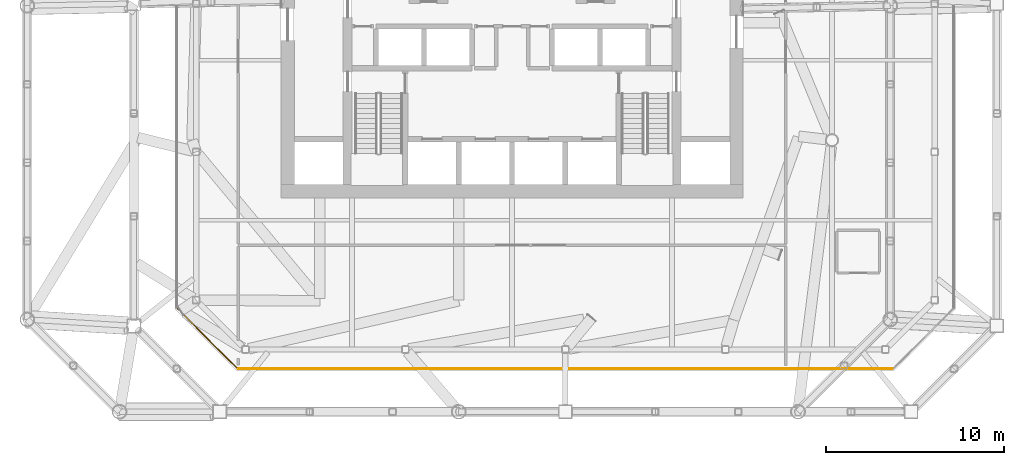
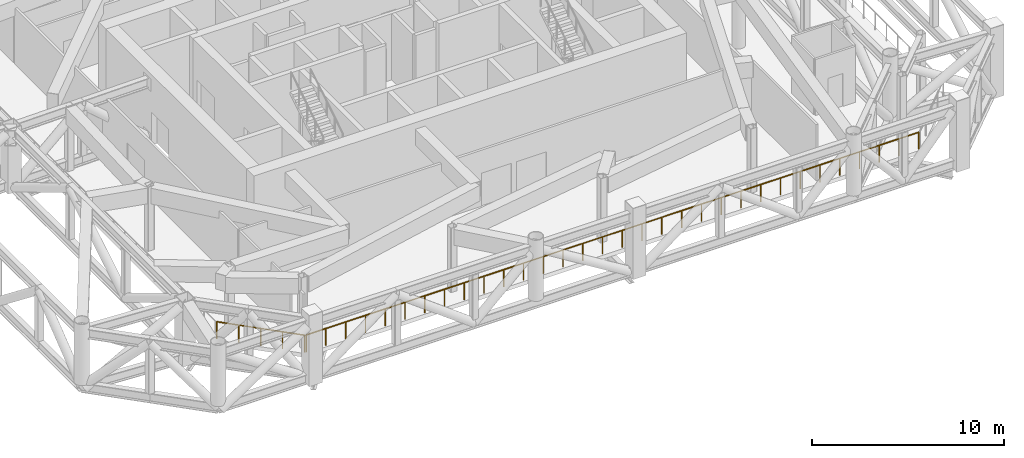
# One storey, part 16 of 21: 2 railings.
"""IFC4 building model written with IfcOpenShell, lengths in metres."""

import ifcopenshell
import ifcopenshell.guid

model = None  # the IFC model being written
_history = None  # IfcOwnerHistory: only IFC2X3 demands one
_inside = {}  # id of a spatial element -> (the spatial element, [elements in it])
_under = {}  # id of a project, library or spatial element -> (it, [spatial elements below it])
_declared = {}  # id of a project -> (the project, [libraries it declares])
_typed = {}  # id of a type object -> (the type object, [elements of that type])
_made_of = {}  # id of a material, layer set ... -> (it, [elements and type objects made of it])


def new_model(schema):
    """Start an empty IFC model of exactly this schema.

    Asked for "IFC4X3", IfcOpenShell would pick the latest addendum, in which some entities
    have other attributes; the version numbers below select the first issue.
    IFC2X3 requires an IfcOwnerHistory on every rooted entity: one is made here for all.
    """
    global model, _history
    if schema == "IFC4X3":
        model = ifcopenshell.file(schema_version=(4, 3, 0, 0))
    else:
        model = ifcopenshell.file(schema=schema)
    _inside.clear()
    _under.clear()
    _declared.clear()
    _typed.clear()
    _made_of.clear()
    _history = None
    if model.schema == "IFC2X3":
        org = make("IfcOrganization", Name="unknown")
        user = make(
            "IfcPersonAndOrganization",
            ThePerson=make("IfcPerson", FamilyName="unknown"),
            TheOrganization=org,
        )
        app = make(
            "IfcApplication",
            ApplicationDeveloper=org,
            Version="unknown",
            ApplicationFullName="unknown",
            ApplicationIdentifier="unknown",
        )
        _history = make(
            "IfcOwnerHistory",
            OwningUser=user,
            OwningApplication=app,
            ChangeAction="ADDED",
            CreationDate=0,
        )
    return model


def make(cls, **values):
    """One entity of the class cls with the attributes given. An attribute that is None is left unset."""
    return model.create_entity(
        cls, **{name: value for name, value in values.items() if value is not None}
    )


def rooted(cls, **values):
    """An entity with a GlobalId (a new one), such as an element, a storey or a relation."""
    return make(cls, GlobalId=ifcopenshell.guid.new(), OwnerHistory=_history, **values)


def si_unit(unit_type, name, prefix=None):
    """IfcSIUnit, for example si_unit("LENGTHUNIT", "METRE", prefix="MILLI")."""
    return make("IfcSIUnit", UnitType=unit_type, Prefix=prefix, Name=name)


def assignment(units):
    """IfcUnitAssignment: the units of a project."""
    return None if units is None else make("IfcUnitAssignment", Units=units)


def point(xyz):
    """IfcCartesianPoint."""
    return None if xyz is None else make("IfcCartesianPoint", Coordinates=xyz)


def direction(xyz):
    """IfcDirection."""
    return None if xyz is None else make("IfcDirection", DirectionRatios=xyz)


def frame(location, z_axis=None, x_axis=None):
    """IfcAxis2Placement3D, a coordinate frame: its origin and axes. An axis left out is left unset."""
    return make(
        "IfcAxis2Placement3D",
        Location=point(location),
        Axis=direction(z_axis),
        RefDirection=direction(x_axis),
    )


def frame_2d(location, x_axis=None):
    """IfcAxis2Placement2D, a coordinate frame in the plane: its origin and x axis."""
    return make(
        "IfcAxis2Placement2D", Location=point(location), RefDirection=direction(x_axis)
    )


def origin():
    """The frame at (0, 0, 0) with its axes left unset."""
    return frame((0.0, 0.0, 0.0))


def origin_2d():
    """The frame at (0, 0) in the plane with its x axis left unset."""
    return frame_2d((0.0, 0.0))


def place(relative_to, where):
    """IfcLocalPlacement: puts the frame where relative to a parent placement (None: the world)."""
    return make(
        "IfcLocalPlacement", PlacementRelTo=relative_to, RelativePlacement=where
    )


def context(
    kind, dimensions, precision=None, world=None, true_north=None, identifier=None
):
    """IfcGeometricRepresentationContext, for example the 3D "Model" context."""
    return make(
        "IfcGeometricRepresentationContext",
        ContextIdentifier=identifier,
        ContextType=kind,
        CoordinateSpaceDimension=dimensions,
        Precision=precision,
        WorldCoordinateSystem=world,
        TrueNorth=true_north,
    )


def subcontext(parent, identifier, kind, view, scale=None):
    """IfcGeometricRepresentationSubContext, for example "Body" below "Model"."""
    return make(
        "IfcGeometricRepresentationSubContext",
        ContextIdentifier=identifier,
        ContextType=kind,
        ParentContext=parent,
        TargetScale=scale,
        TargetView=view,
    )


def project(units=None, contexts=None):
    """IfcProject with its units and contexts."""
    return rooted(
        "IfcProject",
        Name="project",
        RepresentationContexts=contexts,
        UnitsInContext=assignment(units),
    )


def spatial(cls, under=None, at=None, **own):
    """A site, building, storey or space (cls), placed at a placement, below another one or the project."""
    s = rooted(cls, ObjectPlacement=at, **own)
    if under is not None:
        _under.setdefault(under.id(), (under, []))[1].append(s)
    return s


def profile(cls, at=None, kind="AREA", **sizes):
    """A parametric profile (cls). Its sizes go by their IFC names, for example OverallWidth=200.0."""
    return make(cls, ProfileType=kind, Position=at, **sizes)


def circle(**sizes):
    """IfcCircleProfileDef."""
    return profile("IfcCircleProfileDef", **sizes)


def extrude(swept, where, along, depth):
    """IfcExtrudedAreaSolid: the profile swept, set in the frame where, extruded along a direction by depth."""
    return make(
        "IfcExtrudedAreaSolid",
        SweptArea=swept,
        Position=where,
        ExtrudedDirection=direction(along),
        Depth=depth,
    )


def shape(context_of_items, identifier, shape_type, items):
    """IfcShapeRepresentation: the items that make up one representation, for example the "Body"."""
    return make(
        "IfcShapeRepresentation",
        ContextOfItems=context_of_items,
        RepresentationIdentifier=identifier,
        RepresentationType=shape_type,
        Items=items,
    )


def material(Name=None, Category=None):
    """IfcMaterial."""
    return make("IfcMaterial", Name=Name, Category=Category)


def made_of(thing, what):
    """Note that an element or type object is made of a material, layer set ...; save() writes the relation."""
    if what is not None:
        _made_of.setdefault(what.id(), (what, []))[1].append(thing)
    return thing


def type_object(cls, material=None, **own):
    """A type object (cls), such as IfcWallType, which elements share."""
    return made_of(rooted(cls, **own), material)


def element(
    cls,
    number,
    at=None,
    inside=None,
    cuts=None,
    type_object=None,
    material=None,
    context=None,
    identifier="Body",
    shape_type=None,
    held_by="IfcProductDefinitionShape",
    body=None,
    shapes=None,
    **own,
):
    """One element of the class cls, such as IfcWall. Its Tag is "e" and its number.

    at: its placement. inside: the storey or other place that contains it. cuts: it is an
    opening in that element (IfcRelVoidsElement). A single representation is given by context,
    identifier, shape_type and body (its items); several are given by shapes. held_by: the class
    of the entity that holds the representations. save() writes the other relations.
    """
    e = rooted(cls, Tag="e%d" % number, ObjectPlacement=at, **own)
    if body is not None:
        shapes = [shape(context, identifier, shape_type, body)]
    if shapes is not None:
        e.Representation = make(held_by, Representations=shapes)
    if inside is not None:
        _inside.setdefault(inside.id(), (inside, []))[1].append(e)
    if cuts is not None:
        rooted(
            "IfcRelVoidsElement", RelatingBuildingElement=cuts, RelatedOpeningElement=e
        )
    if type_object is not None:
        _typed.setdefault(type_object.id(), (type_object, []))[1].append(e)
    return made_of(e, material)


def aggregate(whole, parts):
    """IfcRelAggregates: a whole, such as a stair, and the parts it consists of."""
    return rooted("IfcRelAggregates", RelatingObject=whole, RelatedObjects=parts)


def save(model, path):
    """Write the relations noted so far, then the file.

    IfcRelAggregates (storeys below a building ...), IfcRelContainedInSpatialStructure (elements
    in a storey), IfcRelDefinesByType, IfcRelAssociatesMaterial and IfcRelDeclares: one each for
    every whole, place, type object, material and project.
    """
    for whole, parts in _under.values():
        aggregate(whole, parts)
    for where, things in _inside.values():
        rooted(
            "IfcRelContainedInSpatialStructure",
            RelatedElements=things,
            RelatingStructure=where,
        )
    for kind, things in _typed.values():
        rooted("IfcRelDefinesByType", RelatedObjects=things, RelatingType=kind)
    for what, things in _made_of.values():
        rooted("IfcRelAssociatesMaterial", RelatedObjects=things, RelatingMaterial=what)
    for by, libraries in _declared.values():
        rooted("IfcRelDeclares", RelatingContext=by, RelatedDefinitions=libraries)
    model.write(path)


model = new_model("IFC4")

# Units and contexts
model_context = context("Model", 3, precision=1e-05, world=origin(), true_north=direction((0.0, 1.0)))
body_context = subcontext(model_context, "Body", "Model", "MODEL_VIEW")
ifc_project = project(units=[si_unit("LENGTHUNIT", "METRE"), si_unit("AREAUNIT", "SQUARE_METRE"), si_unit("VOLUMEUNIT", "CUBIC_METRE"), si_unit("PLANEANGLEUNIT", "RADIAN"), si_unit("MASSUNIT", "GRAM", prefix="KILO")], contexts=[model_context])

# Site, building, storey
site_placement = place(None, origin())
site = spatial("IfcSite", under=ifc_project, at=site_placement, CompositionType="ELEMENT")
building_placement = place(site_placement, origin())
building = spatial("IfcBuilding", under=site, at=building_placement, Name="Tskaro Facet Tower", CompositionType="ELEMENT")
storey_placement = place(building_placement, frame((0.0, 0.0, 167.699951171875)))
storey = spatial("IfcBuildingStorey", under=building, at=storey_placement, Name="L41", CompositionType="ELEMENT", Elevation=167.699951171875)

# Railings
ifc_material = material(Name="Bronze anodised aluminium 6063-T6", Category="aluminium")
railing_type = type_object("IfcRailingType", Name="Bronze guard rail (GD1)", PredefinedType="GUARDRAIL", material=ifc_material)
railing_1_placement = place(storey_placement, frame((-15.40087890625, -21.85400390625, 0.0)))
element("IfcRailing", 1, at=railing_1_placement, inside=storey, type_object=railing_type, Name="Guard L41", PredefinedType="GUARDRAIL", context=body_context, shape_type="SweptSolid", body=[
    extrude(circle(Radius=0.02490234375, at=origin_2d()), frame((0.0, 0.0, 1.0751953125), z_axis=(1.0, 0.0, 0.0), x_axis=(0.0, 1.0, 0.0)), (0.0, 0.0, 1.0), 36.8017578125),
    extrude(circle(Radius=0.02001953125, at=origin_2d()), origin(), (0.0, 0.0, 1.0), 1.050048828125),
    extrude(circle(Radius=0.02001953125, at=origin_2d()), frame((1.187255859375, 0.0, 0.0)), (0.0, 0.0, 1.0), 1.050048828125),
    extrude(circle(Radius=0.02001953125, at=origin_2d()), frame((2.374267578125, 0.0, 0.0)), (0.0, 0.0, 1.0), 1.050048828125),
    extrude(circle(Radius=0.02001953125, at=origin_2d()), frame((3.5615234375, 0.0, 0.0)), (0.0, 0.0, 1.0), 1.050048828125),
    extrude(circle(Radius=0.02001953125, at=origin_2d()), frame((4.74853515625, 0.0, 0.0)), (0.0, 0.0, 1.0), 1.050048828125),
    extrude(circle(Radius=0.02001953125, at=origin_2d()), frame((5.935791015625, 0.0, 0.0)), (0.0, 0.0, 1.0), 1.050048828125),
    extrude(circle(Radius=0.02001953125, at=origin_2d()), frame((7.122802734375, 0.0, 0.0)), (0.0, 0.0, 1.0), 1.050048828125),
    extrude(circle(Radius=0.02001953125, at=origin_2d()), frame((8.31005859375, 0.0, 0.0)), (0.0, 0.0, 1.0), 1.050048828125),
    extrude(circle(Radius=0.02001953125, at=origin_2d()), frame((9.497314453125, 0.0, 0.0)), (0.0, 0.0, 1.0), 1.050048828125),
    extrude(circle(Radius=0.02001953125, at=origin_2d()), frame((10.684326171875, 0.0, 0.0)), (0.0, 0.0, 1.0), 1.050048828125),
    extrude(circle(Radius=0.02001953125, at=origin_2d()), frame((11.87158203125, 0.0, 0.0)), (0.0, 0.0, 1.0), 1.050048828125),
    extrude(circle(Radius=0.02001953125, at=origin_2d()), frame((13.05859375, 0.0, 0.0)), (0.0, 0.0, 1.0), 1.050048828125),
    extrude(circle(Radius=0.02001953125, at=origin_2d()), frame((14.245849609375, 0.0, 0.0)), (0.0, 0.0, 1.0), 1.050048828125),
    extrude(circle(Radius=0.02001953125, at=origin_2d()), frame((15.43310546875, 0.0, 0.0)), (0.0, 0.0, 1.0), 1.050048828125),
    extrude(circle(Radius=0.02001953125, at=origin_2d()), frame((16.6201171875, 0.0, 0.0)), (0.0, 0.0, 1.0), 1.050048828125),
    extrude(circle(Radius=0.02001953125, at=origin_2d()), frame((17.807373046875, 0.0, 0.0)), (0.0, 0.0, 1.0), 1.050048828125),
    extrude(circle(Radius=0.02001953125, at=origin_2d()), frame((18.994384765625, 0.0, 0.0)), (0.0, 0.0, 1.0), 1.050048828125),
    extrude(circle(Radius=0.02001953125, at=origin_2d()), frame((20.181640625, 0.0, 0.0)), (0.0, 0.0, 1.0), 1.050048828125),
    extrude(circle(Radius=0.02001953125, at=origin_2d()), frame((21.36865234375, 0.0, 0.0)), (0.0, 0.0, 1.0), 1.050048828125),
    extrude(circle(Radius=0.02001953125, at=origin_2d()), frame((22.555908203125, 0.0, 0.0)), (0.0, 0.0, 1.0), 1.050048828125),
    extrude(circle(Radius=0.02001953125, at=origin_2d()), frame((23.7431640625, 0.0, 0.0)), (0.0, 0.0, 1.0), 1.050048828125),
    extrude(circle(Radius=0.02001953125, at=origin_2d()), frame((24.93017578125, 0.0, 0.0)), (0.0, 0.0, 1.0), 1.050048828125),
    extrude(circle(Radius=0.02001953125, at=origin_2d()), frame((26.117431640625, 0.0, 0.0)), (0.0, 0.0, 1.0), 1.050048828125),
    extrude(circle(Radius=0.02001953125, at=origin_2d()), frame((27.304443359375, 0.0, 0.0)), (0.0, 0.0, 1.0), 1.050048828125),
    extrude(circle(Radius=0.02001953125, at=origin_2d()), frame((28.49169921875, 0.0, 0.0)), (0.0, 0.0, 1.0), 1.050048828125),
    extrude(circle(Radius=0.02001953125, at=origin_2d()), frame((29.678955078125, 0.0, 0.0)), (0.0, 0.0, 1.0), 1.050048828125),
    extrude(circle(Radius=0.02001953125, at=origin_2d()), frame((30.865966796875, 0.0, 0.0)), (0.0, 0.0, 1.0), 1.050048828125),
    extrude(circle(Radius=0.02001953125, at=origin_2d()), frame((32.05322265625, 0.0, 0.0)), (0.0, 0.0, 1.0), 1.050048828125),
    extrude(circle(Radius=0.02001953125, at=origin_2d()), frame((33.240234375, 0.0, 0.0)), (0.0, 0.0, 1.0), 1.050048828125),
    extrude(circle(Radius=0.02001953125, at=origin_2d()), frame((34.427490234375, 0.0, 0.0)), (0.0, 0.0, 1.0), 1.050048828125),
    extrude(circle(Radius=0.02001953125, at=origin_2d()), frame((35.614501953125, 0.0, 0.0)), (0.0, 0.0, 1.0), 1.050048828125),
    extrude(circle(Radius=0.02001953125, at=origin_2d()), frame((36.8017578125, 0.0, 0.0)), (0.0, 0.0, 1.0), 1.050048828125),
])
railing_2_placement = place(storey_placement, frame((-18.822265625, -18.477783203125, 0.0)))
element("IfcRailing", 2, at=railing_2_placement, inside=storey, type_object=railing_type, Name="Guard L41", PredefinedType="GUARDRAIL", context=body_context, shape_type="SweptSolid", body=[
    extrude(circle(Radius=0.02490234375, at=origin_2d()), frame((0.0, 0.0, 1.0751953125), z_axis=(0.707106781187, -0.707106781187, 0.0), x_axis=(0.707106781187, 0.707106781187, 0.0)), (0.0, 0.0, 1.0), 4.729736328125),
    extrude(circle(Radius=0.02001953125, at=origin_2d()), origin(), (0.0, 0.0, 1.0), 1.050048828125),
    extrude(circle(Radius=0.02001953125, at=origin_2d()), frame((0.836181640625, -0.836181640625, 0.0)), (0.0, 0.0, 1.0), 1.050048828125),
    extrude(circle(Radius=0.02001953125, at=origin_2d()), frame((1.67236328125, -1.67236328125, 0.0)), (0.0, 0.0, 1.0), 1.050048828125),
    extrude(circle(Radius=0.02001953125, at=origin_2d()), frame((2.50830078125, -2.50830078125, 0.0)), (0.0, 0.0, 1.0), 1.050048828125),
    extrude(circle(Radius=0.02001953125, at=origin_2d()), frame((3.344482421875, -3.344482421875, 0.0)), (0.0, 0.0, 1.0), 1.050048828125),
])

save(model, "model.ifc")
